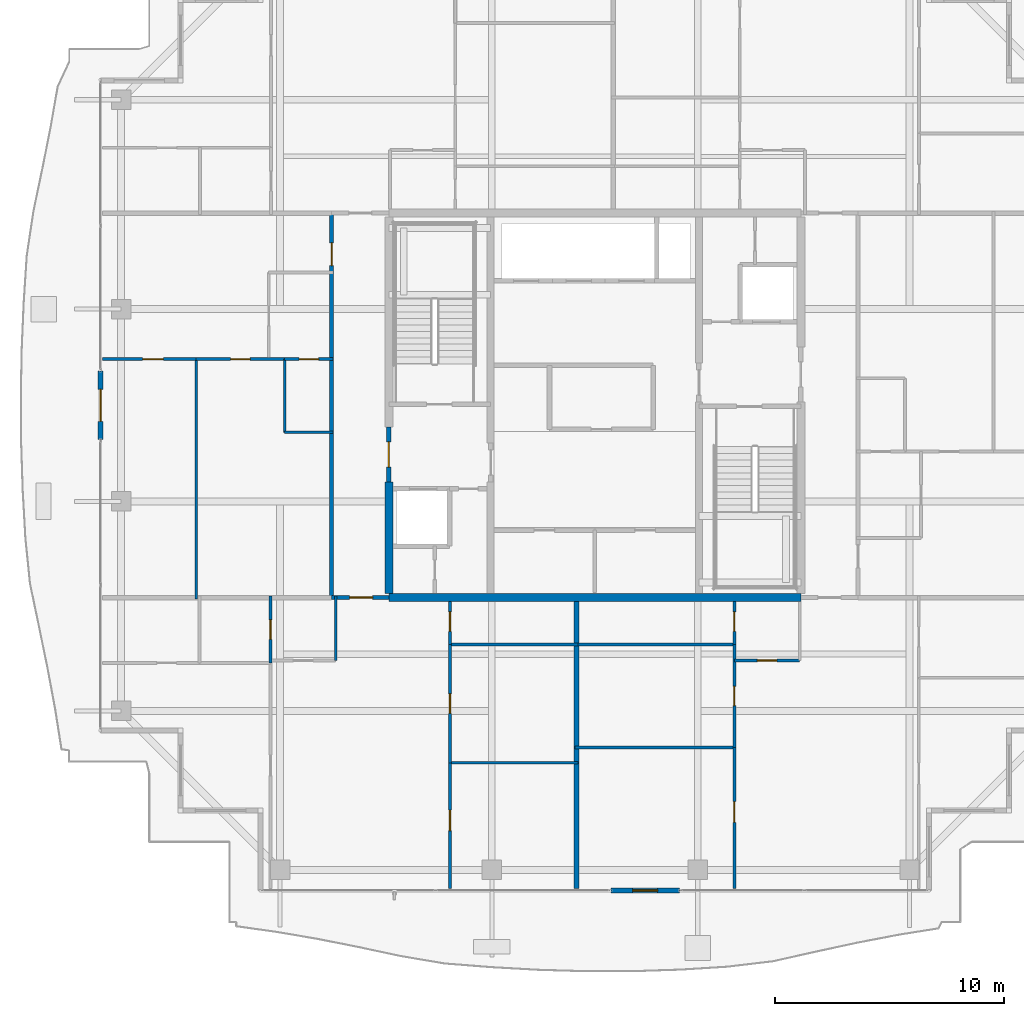
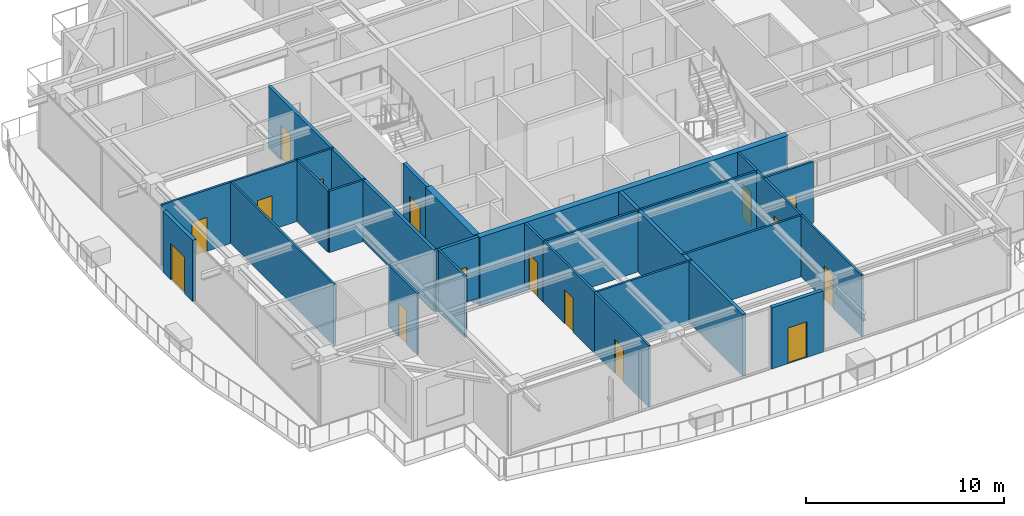
# One storey, part 25 of 36: 27 walls, 16 doors, 16 openings.
"""IFC4 building model written with IfcOpenShell, lengths in metres."""

from ifc_helpers import new_model, si_unit, direction, frame, frame_2d, origin, place, context, subcontext, project, spatial, rectangle, extrude, source, transform, mapped, material, layer, layer_set, type_object, element, fill, save


model = new_model("IFC4")

# Units and contexts
model_context = context("Model", 3, precision=1e-05, world=origin(), true_north=direction((0.0, 1.0)))
body_context = subcontext(model_context, "Body", "Model", "MODEL_VIEW")
ifc_project = project(units=[si_unit("LENGTHUNIT", "METRE"), si_unit("AREAUNIT", "SQUARE_METRE"), si_unit("VOLUMEUNIT", "CUBIC_METRE"), si_unit("PLANEANGLEUNIT", "RADIAN"), si_unit("MASSUNIT", "GRAM", prefix="KILO")], contexts=[model_context])

# Site, building, storey
site_placement = place(None, origin())
site = spatial("IfcSite", under=ifc_project, at=site_placement, CompositionType="ELEMENT")
building_placement = place(site_placement, origin())
building = spatial("IfcBuilding", under=site, at=building_placement, Name="Serunith Strait Residences", CompositionType="ELEMENT")
storey_placement = place(building_placement, frame((0.0, 0.0, 338.0)))
storey = spatial("IfcBuildingStorey", under=building, at=storey_placement, Name="L84", CompositionType="ELEMENT", Elevation=338.0)

# Wall, opening, door
ifc_material_1 = material(Name="Pale-Champagne Aluminium Insulated Panel", Category="aluminium")
ifc_layer_1 = layer(ifc_material_1, 0.219970703125, Name="Pale-Champagne Aluminium Insulated Panel")
ifc_layer_set_1 = layer_set([ifc_layer_1], Name="Pale-Champagne Aluminium Insulated Panel")
wall_type_1 = type_object("IfcWallType", Name="EW-ALUM-220", PredefinedType="ELEMENTEDWALL", material=ifc_layer_set_1)
wall_1_placement = place(storey_placement, frame((33.10009765625, 4.0, 0.0), z_axis=(0.0, 0.0, 1.0), x_axis=(1.0, 0.0, 0.0)))
wall_1 = element("IfcWall", 1, at=wall_1_placement, inside=storey, type_object=wall_type_1, Name="L84 S Facade Pier Wall", PredefinedType="ELEMENTEDWALL", context=body_context, shape_type="SweptSolid", body=[
    extrude(rectangle(XDim=3.0, YDim=0.219970703125, at=frame_2d((1.5, 0.0))), origin(), (0.0, 0.0, 1.0), 3.77490234375),
])
opening_1_placement = place(wall_1_placement, frame((0.949951171875, 0.0, 0.0)))
opening_1 = element("IfcOpeningElement", 2, at=opening_1_placement, cuts=wall_1, Name="Opening ED-03", PredefinedType="OPENING", context=body_context, shape_type="SweptSolid", body=[
    extrude(rectangle(XDim=1.10009765625, YDim=2.199951171875, at=frame_2d((0.550048828125, 1.10009765625))), frame((0.0, 0.1201171875, 0.0), z_axis=(0.0, -1.0, 0.0), x_axis=(1.0, 0.0, 0.0)), (0.0, 0.0, 1.0), 0.239990234375),
])
ifc_material_2 = material(Name="Thermally-Broken Aluminium Glazed Balcony Door", Category="aluminium")
door_type_1 = type_object("IfcDoorType", Name="ED-BALC-1100", OperationType="NOTDEFINED", PredefinedType="DOOR", material=ifc_material_2)
shared_shape_1 = source(origin(), body_context, "Body", "SweptSolid", [
    extrude(rectangle(XDim=1.10009765625, YDim=2.199951171875, at=frame_2d((0.550048828125, 1.10009765625))), frame((0.0, 0.02490234375, 0.0), z_axis=(0.0, -1.0, 0.0), x_axis=(1.0, 0.0, 0.0)), (0.0, 0.0, 1.0), 0.050048828125),
])
door_1_placement = place(opening_1_placement, origin())
door_1 = element("IfcDoor", 3, at=door_1_placement, inside=storey, type_object=door_type_1, Name="L84 S Vertical-Forest Balcony Door", OperationType="SINGLE_SWING_LEFT", OverallHeight=2.199951171875, OverallWidth=1.10009765625, PredefinedType="DOOR", context=body_context, shape_type="MappedRepresentation", body=[
    mapped(shared_shape_1, transform((0.0, 0.0, 0.0), scale=1.0)),
])
fill(opening_1, door_1)

wall_2_placement = place(storey_placement, frame((10.800048828125, 26.699951171875, 0.0), z_axis=(0.0, 0.0, 1.0), x_axis=(0.0, -1.0, 0.0)))
wall_2 = element("IfcWall", 4, at=wall_2_placement, inside=storey, type_object=wall_type_1, Name="L84 W Facade Pier Wall", PredefinedType="ELEMENTEDWALL", context=body_context, shape_type="SweptSolid", body=[
    extrude(rectangle(XDim=3.0, YDim=0.219970703125, at=frame_2d((1.5, 0.0))), origin(), (0.0, 0.0, 1.0), 3.77490234375),
])
opening_2_placement = place(wall_2_placement, frame((0.800048828125, 0.0, 0.0)))
opening_2 = element("IfcOpeningElement", 5, at=opening_2_placement, cuts=wall_2, Name="Opening ED-04", PredefinedType="OPENING", context=body_context, shape_type="SweptSolid", body=[
    extrude(rectangle(XDim=1.39990234375, YDim=2.25, at=frame_2d((0.699951171875, 1.125))), frame((0.0, 0.1201171875, 0.0), z_axis=(0.0, -1.0, 0.0), x_axis=(1.0, 0.0, 0.0)), (0.0, 0.0, 1.0), 0.239990234375),
])
ifc_material_3 = material(Name="Thermally-Broken Aluminium Sliding Balcony Door", Category="aluminium")
door_type_2 = type_object("IfcDoorType", Name="ED-BALC-1400", OperationType="NOTDEFINED", PredefinedType="DOOR", material=ifc_material_3)
shared_shape_2 = source(origin(), body_context, "Body", "SweptSolid", [
    extrude(rectangle(XDim=1.39990234375, YDim=2.25, at=frame_2d((0.699951171875, 1.125))), frame((0.0, 0.02490234375, 0.0), z_axis=(0.0, -1.0, 0.0), x_axis=(1.0, 0.0, 0.0)), (0.0, 0.0, 1.0), 0.050048828125),
])
door_2_placement = place(opening_2_placement, origin())
door_2 = element("IfcDoor", 6, at=door_2_placement, inside=storey, type_object=door_type_2, Name="L84 W Vertical-Forest Balcony Door", OperationType="SLIDING_TO_LEFT", OverallHeight=2.25, OverallWidth=1.39990234375, PredefinedType="DOOR", context=body_context, shape_type="MappedRepresentation", body=[
    mapped(shared_shape_2, transform((0.0, 0.0, 0.0), scale=1.0)),
])
fill(opening_2, door_2)

ifc_material_4 = material(Name="Fire-rated acoustic gypsum partition")
ifc_layer_2 = layer(ifc_material_4, 0.179931640625, Name="Fire-rated acoustic gypsum partition")
ifc_layer_set_2 = layer_set([ifc_layer_2], Name="Fire-rated acoustic gypsum partition")
wall_type_2 = type_object("IfcWallType", Name="IW-CORR-180", PredefinedType="PARTITIONING", material=ifc_layer_set_2)
wall_3_placement = place(storey_placement, frame((20.902099609375, 16.800048828125, 0.0), z_axis=(0.0, 0.0, 1.0), x_axis=(1.0, 0.0, 0.0)))
wall_3 = element("IfcWall", 7, at=wall_3_placement, inside=storey, type_object=wall_type_2, Name="L84 Partition Wall 026", PredefinedType="PARTITIONING", context=body_context, shape_type="SweptSolid", body=[
    extrude(rectangle(XDim=2.495849609375, YDim=0.179931640625, at=frame_2d((1.248046875, 0.0))), origin(), (0.0, 0.0, 1.0), 3.7900390625),
])
opening_3_placement = place(wall_3_placement, frame((0.7900390625, 0.0, 0.0)))
opening_3 = element("IfcOpeningElement", 8, at=opening_3_placement, cuts=wall_3, Name="Opening D-APT1000", PredefinedType="OPENING", context=body_context, shape_type="SweptSolid", body=[
    extrude(rectangle(XDim=1.0, YDim=2.14990234375, at=frame_2d((0.5, 1.074951171875))), frame((0.0, 0.10009765625, 0.0), z_axis=(0.0, -1.0, 0.0), x_axis=(1.0, 0.0, 0.0)), (0.0, 0.0, 1.0), 0.199951171875),
])
ifc_material_5 = material(Name="Solid timber engineered fire door", Category="wood")
door_type_3 = type_object("IfcDoorType", Name="ID-APT-1000", OperationType="NOTDEFINED", PredefinedType="DOOR", material=ifc_material_5)
shared_shape_3 = source(origin(), body_context, "Body", "SweptSolid", [
    extrude(rectangle(XDim=1.0, YDim=2.14990234375, at=frame_2d((0.5, 1.074951171875))), frame((0.0, 0.02490234375, 0.0), z_axis=(0.0, -1.0, 0.0), x_axis=(1.0, 0.0, 0.0)), (0.0, 0.0, 1.0), 0.050048828125),
])
door_3_placement = place(opening_3_placement, origin())
door_3 = element("IfcDoor", 9, at=door_3_placement, inside=storey, type_object=door_type_3, Name="L84 Unit 01 Entrance Door", OperationType="SINGLE_SWING_LEFT", OverallHeight=2.14990234375, OverallWidth=1.0, PredefinedType="DOOR", context=body_context, shape_type="MappedRepresentation", body=[
    mapped(shared_shape_3, transform((0.0, 0.0, 0.0), scale=1.0)),
])
fill(opening_3, door_3)

wall_4_placement = place(storey_placement, frame((20.89990234375, 16.800048828125, 0.0), z_axis=(0.0, 0.0, 1.0), x_axis=(0.0, 1.0, 0.0)))
wall_4 = element("IfcWall", 10, at=wall_4_placement, inside=storey, type_object=wall_type_2, Name="L84 Partition Wall 028", PredefinedType="PARTITIONING", context=body_context, shape_type="SweptSolid", body=[
    extrude(rectangle(XDim=16.800048828125, YDim=0.179931640625, at=frame_2d((8.39990234375, 0.0))), origin(), (0.0, 0.0, 1.0), 3.7900390625),
])
opening_4_placement = place(wall_4_placement, frame((14.5, 0.0, 0.0)))
opening_4 = element("IfcOpeningElement", 11, at=opening_4_placement, cuts=wall_4, Name="Opening D-APT1000", PredefinedType="OPENING", context=body_context, shape_type="SweptSolid", body=[
    extrude(rectangle(XDim=1.0, YDim=2.14990234375, at=frame_2d((0.5, 1.074951171875))), frame((0.0, 0.10009765625, 0.0), z_axis=(0.0, -1.0, 0.0), x_axis=(1.0, 0.0, 0.0)), (0.0, 0.0, 1.0), 0.199951171875),
])
door_4_placement = place(opening_4_placement, origin())
door_4 = element("IfcDoor", 12, at=door_4_placement, inside=storey, type_object=door_type_3, Name="L84 Unit 05 Entrance Door", OperationType="SINGLE_SWING_LEFT", OverallHeight=2.14990234375, OverallWidth=1.0, PredefinedType="DOOR", context=body_context, shape_type="MappedRepresentation", body=[
    mapped(shared_shape_3, transform((0.0, 0.0, 0.0), scale=1.0)),
])
fill(opening_4, door_4)

# Wall
ifc_material_6 = material(Name="Lightweight steel-stud gypsum partition", Category="steel")
ifc_layer_3 = layer(ifc_material_6, 0.1201171875, Name="Lightweight steel-stud gypsum partition")
ifc_layer_set_3 = layer_set([ifc_layer_3], Name="Lightweight steel-stud gypsum partition")
wall_type_3 = type_object("IfcWallType", Name="IW-PART-120", PredefinedType="PARTITIONING", material=ifc_layer_set_3)
wall_5_placement = place(storey_placement, frame((21.080078125, 14.050048828125, 0.0), z_axis=(0.0, 0.0, 1.0), x_axis=(0.0, 1.0, 0.0)))
element("IfcWall", 13, at=wall_5_placement, inside=storey, type_object=wall_type_3, Name="L84 Partition Wall 033", PredefinedType="PARTITIONING", context=body_context, shape_type="SweptSolid", body=[
    extrude(rectangle(XDim=2.81005859375, YDim=0.1201171875, at=frame_2d((1.405029296875, 0.0))), origin(), (0.0, 0.0, 1.0), 3.7900390625),
])

# Wall, opening, door
wall_6_placement = place(storey_placement, frame((18.22998046875, 13.946044921875, 0.0), z_axis=(0.0, 0.0, 1.0), x_axis=(0.0, 1.0, 0.0)))
wall_6 = element("IfcWall", 14, at=wall_6_placement, inside=storey, type_object=wall_type_3, Name="L84 Partition Wall 038", PredefinedType="PARTITIONING", context=body_context, shape_type="SweptSolid", body=[
    extrude(rectangle(XDim=2.9140625, YDim=0.1201171875, at=frame_2d((1.45703125, 0.0))), origin(), (0.0, 0.0, 1.0), 3.7900390625),
])
opening_5_placement = place(wall_6_placement, frame((1.031982421875, 0.0, 0.0)))
opening_5 = element("IfcOpeningElement", 15, at=opening_5_placement, cuts=wall_6, Name="Opening D-BTH850", PredefinedType="OPENING", context=body_context, shape_type="SweptSolid", body=[
    extrude(rectangle(XDim=0.85009765625, YDim=2.10009765625, at=frame_2d((0.425048828125, 1.050048828125))), frame((0.0, 0.070068359375, 0.0), z_axis=(0.0, -1.0, 0.0), x_axis=(1.0, 0.0, 0.0)), (0.0, 0.0, 1.0), 0.14013671875),
])
ifc_material_7 = material(Name="Moisture-resistant timber bathroom door", Category="wood")
door_type_4 = type_object("IfcDoorType", Name="ID-BATH-850", OperationType="NOTDEFINED", PredefinedType="DOOR", material=ifc_material_7)
shared_shape_4 = source(origin(), body_context, "Body", "SweptSolid", [
    extrude(rectangle(XDim=0.85009765625, YDim=2.10009765625, at=frame_2d((0.425048828125, 1.050048828125))), frame((0.0, 0.02490234375, 0.0), z_axis=(0.0, -1.0, 0.0), x_axis=(1.0, 0.0, 0.0)), (0.0, 0.0, 1.0), 0.050048828125),
])
door_5_placement = place(opening_5_placement, origin())
door_5 = element("IfcDoor", 16, at=door_5_placement, inside=storey, type_object=door_type_4, Name="L84 Bathroom 8401 Door", OperationType="SINGLE_SWING_RIGHT", OverallHeight=2.10009765625, OverallWidth=0.85009765625, PredefinedType="DOOR", context=body_context, shape_type="MappedRepresentation", body=[
    mapped(shared_shape_4, transform((0.0, 0.0, 0.0), scale=1.0)),
])
fill(opening_5, door_5)

wall_7_placement = place(storey_placement, frame((26.070068359375, 4.094970703125, 0.0), z_axis=(0.0, 0.0, 1.0), x_axis=(0.0, 1.0, 0.0)))
wall_7 = element("IfcWall", 17, at=wall_7_placement, inside=storey, type_object=wall_type_3, Name="L84 Partition Wall 039", PredefinedType="PARTITIONING", context=body_context, shape_type="SweptSolid", body=[
    extrude(rectangle(XDim=5.48193359375, YDim=0.1201171875, at=frame_2d((2.740966796875, 0.0))), origin(), (0.0, 0.0, 1.0), 3.7900390625),
])
opening_6_placement = place(wall_7_placement, frame((2.52001953125, 0.0, 0.0)))
opening_6 = element("IfcOpeningElement", 18, at=opening_6_placement, cuts=wall_7, Name="Opening D-RM900", PredefinedType="OPENING", context=body_context, shape_type="SweptSolid", body=[
    extrude(rectangle(XDim=0.89990234375, YDim=2.10009765625, at=frame_2d((0.449951171875, 1.050048828125))), frame((0.0, 0.070068359375, 0.0), z_axis=(0.0, -1.0, 0.0), x_axis=(1.0, 0.0, 0.0)), (0.0, 0.0, 1.0), 0.14013671875),
])
ifc_material_8 = material(Name="Engineered timber flush bedroom door", Category="wood")
door_type_5 = type_object("IfcDoorType", Name="ID-ROOM-900", OperationType="NOTDEFINED", PredefinedType="DOOR", material=ifc_material_8)
shared_shape_5 = source(origin(), body_context, "Body", "SweptSolid", [
    extrude(rectangle(XDim=0.89990234375, YDim=2.10009765625, at=frame_2d((0.449951171875, 1.050048828125))), frame((0.0, 0.02490234375, 0.0), z_axis=(0.0, -1.0, 0.0), x_axis=(1.0, 0.0, 0.0)), (0.0, 0.0, 1.0), 0.050048828125),
])
door_6_placement = place(opening_6_placement, origin())
door_6 = element("IfcDoor", 19, at=door_6_placement, inside=storey, type_object=door_type_5, Name="L84 Bedroom 2 8401 Door", OperationType="SINGLE_SWING_LEFT", OverallHeight=2.10009765625, OverallWidth=0.89990234375, PredefinedType="DOOR", context=body_context, shape_type="MappedRepresentation", body=[
    mapped(shared_shape_5, transform((0.0, 0.0, 0.0), scale=1.0)),
])
fill(opening_6, door_6)

# Walls
for number, where, z_axis, x_axis, name in (
    (20, (26.070068359375, 9.576904296875, 0.0), (0.0, 0.0, 1.0), (1.0, 0.0, 0.0), "L84 Partition Wall 040"),
    (21, (26.070068359375, 14.75, 0.0), (0.0, 0.0, 1.0), (1.0, 0.0, 0.0), "L84 Partition Wall 041"),
):
    element("IfcWall", number, at=place(storey_placement, frame(where, z_axis=z_axis, x_axis=x_axis)), inside=storey, type_object=wall_type_3, Name=name, PredefinedType="PARTITIONING", context=body_context, shape_type="SweptSolid", body=[
        extrude(rectangle(XDim=5.58984375, YDim=0.1201171875, at=frame_2d((2.794921875, 0.0))), origin(), (0.0, 0.0, 1.0), 3.7900390625),
    ])

# Wall, opening, door
wall_8_placement = place(storey_placement, frame((26.070068359375, 9.5791015625, 0.0), z_axis=(0.0, 0.0, 1.0), x_axis=(0.0, 1.0, 0.0)))
wall_8 = element("IfcWall", 22, at=wall_8_placement, inside=storey, type_object=wall_type_3, Name="L84 Partition Wall 042", PredefinedType="PARTITIONING", context=body_context, shape_type="SweptSolid", body=[
    extrude(rectangle(XDim=5.1708984375, YDim=0.1201171875, at=frame_2d((2.58544921875, 0.0))), origin(), (0.0, 0.0, 1.0), 3.7900390625),
])
opening_7_placement = place(wall_8_placement, frame((2.159912109375, 0.0, 0.0)))
opening_7 = element("IfcOpeningElement", 23, at=opening_7_placement, cuts=wall_8, Name="Opening D-RM850", PredefinedType="OPENING", context=body_context, shape_type="SweptSolid", body=[
    extrude(rectangle(XDim=0.85009765625, YDim=2.10009765625, at=frame_2d((0.425048828125, 1.050048828125))), frame((0.0, 0.070068359375, 0.0), z_axis=(0.0, -1.0, 0.0), x_axis=(1.0, 0.0, 0.0)), (0.0, 0.0, 1.0), 0.14013671875),
])
ifc_material_9 = material(Name="Engineered timber flush study and kitchen door", Category="wood")
door_type_6 = type_object("IfcDoorType", Name="ID-ROOM-850", OperationType="NOTDEFINED", PredefinedType="DOOR", material=ifc_material_9)
door_7_placement = place(opening_7_placement, origin())
door_7 = element("IfcDoor", 24, at=door_7_placement, inside=storey, type_object=door_type_6, Name="L84 Walk-in Wardrobe 8401 Door", OperationType="SINGLE_SWING_RIGHT", OverallHeight=2.10009765625, OverallWidth=0.85009765625, PredefinedType="DOOR", context=body_context, shape_type="MappedRepresentation", body=[
    mapped(shared_shape_4, transform((0.0, 0.0, 0.0), scale=1.0)),
])
fill(opening_7, door_7)

wall_9_placement = place(storey_placement, frame((26.070068359375, 14.751953125, 0.0), z_axis=(0.0, 0.0, 1.0), x_axis=(0.0, 1.0, 0.0)))
wall_9 = element("IfcWall", 25, at=wall_9_placement, inside=storey, type_object=wall_type_3, Name="L84 Partition Wall 043", PredefinedType="PARTITIONING", context=body_context, shape_type="SweptSolid", body=[
    extrude(rectangle(XDim=1.873046875, YDim=0.1201171875, at=frame_2d((0.9365234375, 0.0))), origin(), (0.0, 0.0, 1.0), 3.7900390625),
])
opening_8_placement = place(wall_9_placement, frame((0.574951171875, 0.0, 0.0)))
opening_8 = element("IfcOpeningElement", 26, at=opening_8_placement, cuts=wall_9, Name="Opening D-BTH850", PredefinedType="OPENING", context=body_context, shape_type="SweptSolid", body=[
    extrude(rectangle(XDim=0.85009765625, YDim=2.10009765625, at=frame_2d((0.425048828125, 1.050048828125))), frame((0.0, 0.070068359375, 0.0), z_axis=(0.0, -1.0, 0.0), x_axis=(1.0, 0.0, 0.0)), (0.0, 0.0, 1.0), 0.14013671875),
])
door_8_placement = place(opening_8_placement, origin())
door_8 = element("IfcDoor", 27, at=door_8_placement, inside=storey, type_object=door_type_4, Name="L84 Bathroom 8401 Door", OperationType="SINGLE_SWING_LEFT", OverallHeight=2.10009765625, OverallWidth=0.85009765625, PredefinedType="DOOR", context=body_context, shape_type="MappedRepresentation", body=[
    mapped(shared_shape_4, transform((0.0, 0.0, 0.0), scale=1.0)),
])
fill(opening_8, door_8)

wall_10_placement = place(storey_placement, frame((38.5, 14.050048828125, 0.0), z_axis=(0.0, 0.0, 1.0), x_axis=(1.0, 0.0, 0.0)))
wall_10 = element("IfcWall", 28, at=wall_10_placement, inside=storey, type_object=wall_type_3, Name="L84 Partition Wall 044", PredefinedType="PARTITIONING", context=body_context, shape_type="SweptSolid", body=[
    extrude(rectangle(XDim=2.85009765625, YDim=0.1201171875, at=frame_2d((1.425048828125, 0.0))), origin(), (0.0, 0.0, 1.0), 3.7900390625),
])
opening_9_placement = place(wall_10_placement, frame((1.0, 0.0, 0.0)))
opening_9 = element("IfcOpeningElement", 29, at=opening_9_placement, cuts=wall_10, Name="Opening D-RM850", PredefinedType="OPENING", context=body_context, shape_type="SweptSolid", body=[
    extrude(rectangle(XDim=0.85009765625, YDim=2.10009765625, at=frame_2d((0.425048828125, 1.050048828125))), frame((0.0, 0.070068359375, 0.0), z_axis=(0.0, -1.0, 0.0), x_axis=(1.0, 0.0, 0.0)), (0.0, 0.0, 1.0), 0.14013671875),
])
door_9_placement = place(opening_9_placement, origin())
door_9 = element("IfcDoor", 30, at=door_9_placement, inside=storey, type_object=door_type_6, Name="L84 Kitchen 8402 Door", OperationType="SINGLE_SWING_RIGHT", OverallHeight=2.10009765625, OverallWidth=0.85009765625, PredefinedType="DOOR", context=body_context, shape_type="MappedRepresentation", body=[
    mapped(shared_shape_4, transform((0.0, 0.0, 0.0), scale=1.0)),
])
fill(opening_9, door_9)

wall_11_placement = place(storey_placement, frame((38.5, 4.094970703125, 0.0), z_axis=(0.0, 0.0, 1.0), x_axis=(0.0, 1.0, 0.0)))
wall_11 = element("IfcWall", 31, at=wall_11_placement, inside=storey, type_object=wall_type_3, Name="L84 Partition Wall 046", PredefinedType="PARTITIONING", context=body_context, shape_type="SweptSolid", body=[
    extrude(rectangle(XDim=6.14892578125, YDim=0.1201171875, at=frame_2d((3.074462890625, 0.0))), origin(), (0.0, 0.0, 1.0), 3.7900390625),
])
opening_10_placement = place(wall_11_placement, frame((2.886962890625, 0.0, 0.0)))
opening_10 = element("IfcOpeningElement", 32, at=opening_10_placement, cuts=wall_11, Name="Opening D-RM900", PredefinedType="OPENING", context=body_context, shape_type="SweptSolid", body=[
    extrude(rectangle(XDim=0.89990234375, YDim=2.10009765625, at=frame_2d((0.449951171875, 1.050048828125))), frame((0.0, 0.070068359375, 0.0), z_axis=(0.0, -1.0, 0.0), x_axis=(1.0, 0.0, 0.0)), (0.0, 0.0, 1.0), 0.14013671875),
])
door_10_placement = place(opening_10_placement, origin())
door_10 = element("IfcDoor", 33, at=door_10_placement, inside=storey, type_object=door_type_5, Name="L84 Master Bedroom 1 8402 Door", OperationType="SINGLE_SWING_LEFT", OverallHeight=2.10009765625, OverallWidth=0.89990234375, PredefinedType="DOOR", context=body_context, shape_type="MappedRepresentation", body=[
    mapped(shared_shape_5, transform((0.0, 0.0, 0.0), scale=1.0)),
])
fill(opening_10, door_10)

# Walls
wall_12_placement = place(storey_placement, frame((31.5400390625, 10.243896484375, 0.0), z_axis=(0.0, 0.0, 1.0), x_axis=(1.0, 0.0, 0.0)))
element("IfcWall", 34, at=wall_12_placement, inside=storey, type_object=wall_type_3, Name="L84 Partition Wall 047", PredefinedType="PARTITIONING", context=body_context, shape_type="SweptSolid", body=[
    extrude(rectangle(XDim=6.9599609375, YDim=0.1201171875, at=frame_2d((3.47998046875, 0.0))), origin(), (0.0, 0.0, 1.0), 3.7900390625),
])
wall_13_placement = place(storey_placement, frame((31.662109375, 14.75, 0.0), z_axis=(0.0, 0.0, 1.0), x_axis=(1.0, 0.0, 0.0)))
element("IfcWall", 35, at=wall_13_placement, inside=storey, type_object=wall_type_3, Name="L84 Partition Wall 048", PredefinedType="PARTITIONING", context=body_context, shape_type="SweptSolid", body=[
    extrude(rectangle(XDim=6.837890625, YDim=0.1201171875, at=frame_2d((3.4189453125, 0.0))), origin(), (0.0, 0.0, 1.0), 3.7900390625),
])

# Wall, opening, door
wall_14_placement = place(storey_placement, frame((38.5, 10.24609375, 0.0), z_axis=(0.0, 0.0, 1.0), x_axis=(0.0, 1.0, 0.0)))
wall_14 = element("IfcWall", 36, at=wall_14_placement, inside=storey, type_object=wall_type_3, Name="L84 Partition Wall 049", PredefinedType="PARTITIONING", context=body_context, shape_type="SweptSolid", body=[
    extrude(rectangle(XDim=4.50390625, YDim=0.1201171875, at=frame_2d((2.251953125, 0.0))), origin(), (0.0, 0.0, 1.0), 3.7900390625),
])
opening_11_placement = place(wall_14_placement, frame((1.826904296875, 0.0, 0.0)))
opening_11 = element("IfcOpeningElement", 37, at=opening_11_placement, cuts=wall_14, Name="Opening D-RM850", PredefinedType="OPENING", context=body_context, shape_type="SweptSolid", body=[
    extrude(rectangle(XDim=0.85009765625, YDim=2.10009765625, at=frame_2d((0.425048828125, 1.050048828125))), frame((0.0, 0.070068359375, 0.0), z_axis=(0.0, -1.0, 0.0), x_axis=(1.0, 0.0, 0.0)), (0.0, 0.0, 1.0), 0.14013671875),
])
door_11_placement = place(opening_11_placement, origin())
door_11 = element("IfcDoor", 38, at=door_11_placement, inside=storey, type_object=door_type_6, Name="L84 Walk-in Wardrobe 8402 Door", OperationType="SINGLE_SWING_RIGHT", OverallHeight=2.10009765625, OverallWidth=0.85009765625, PredefinedType="DOOR", context=body_context, shape_type="MappedRepresentation", body=[
    mapped(shared_shape_4, transform((0.0, 0.0, 0.0), scale=1.0)),
])
fill(opening_11, door_11)

wall_15_placement = place(storey_placement, frame((38.5, 14.751953125, 0.0), z_axis=(0.0, 0.0, 1.0), x_axis=(0.0, 1.0, 0.0)))
wall_15 = element("IfcWall", 39, at=wall_15_placement, inside=storey, type_object=wall_type_3, Name="L84 Partition Wall 050", PredefinedType="PARTITIONING", context=body_context, shape_type="SweptSolid", body=[
    extrude(rectangle(XDim=1.873046875, YDim=0.1201171875, at=frame_2d((0.9365234375, 0.0))), origin(), (0.0, 0.0, 1.0), 3.7900390625),
])
opening_12_placement = place(wall_15_placement, frame((0.574951171875, 0.0, 0.0)))
opening_12 = element("IfcOpeningElement", 40, at=opening_12_placement, cuts=wall_15, Name="Opening D-BTH850", PredefinedType="OPENING", context=body_context, shape_type="SweptSolid", body=[
    extrude(rectangle(XDim=0.85009765625, YDim=2.10009765625, at=frame_2d((0.425048828125, 1.050048828125))), frame((0.0, 0.070068359375, 0.0), z_axis=(0.0, -1.0, 0.0), x_axis=(1.0, 0.0, 0.0)), (0.0, 0.0, 1.0), 0.14013671875),
])
door_12_placement = place(opening_12_placement, origin())
door_12 = element("IfcDoor", 41, at=door_12_placement, inside=storey, type_object=door_type_4, Name="L84 Bathroom 8402 Door", OperationType="SINGLE_SWING_LEFT", OverallHeight=2.10009765625, OverallWidth=0.85009765625, PredefinedType="DOOR", context=body_context, shape_type="MappedRepresentation", body=[
    mapped(shared_shape_4, transform((0.0, 0.0, 0.0), scale=1.0)),
])
fill(opening_12, door_12)

wall_16_placement = place(storey_placement, frame((10.89501953125, 27.219970703125, 0.0), z_axis=(0.0, 0.0, 1.0), x_axis=(1.0, 0.0, 0.0)))
wall_16 = element("IfcWall", 42, at=wall_16_placement, inside=storey, type_object=wall_type_3, Name="L84 Partition Wall 078", PredefinedType="PARTITIONING", context=body_context, shape_type="SweptSolid", body=[
    extrude(rectangle(XDim=4.087890625, YDim=0.1201171875, at=frame_2d((2.0439453125, 0.0))), origin(), (0.0, 0.0, 1.0), 3.7900390625),
])
opening_13_placement = place(wall_16_placement, frame((1.7529296875, 0.0, 0.0)))
opening_13 = element("IfcOpeningElement", 43, at=opening_13_placement, cuts=wall_16, Name="Opening D-RM900", PredefinedType="OPENING", context=body_context, shape_type="SweptSolid", body=[
    extrude(rectangle(XDim=0.89990234375, YDim=2.10009765625, at=frame_2d((0.449951171875, 1.050048828125))), frame((0.0, 0.070068359375, 0.0), z_axis=(0.0, -1.0, 0.0), x_axis=(1.0, 0.0, 0.0)), (0.0, 0.0, 1.0), 0.14013671875),
])
door_13_placement = place(opening_13_placement, origin())
door_13 = element("IfcDoor", 44, at=door_13_placement, inside=storey, type_object=door_type_5, Name="L84 Master Bedroom 1 8405 Door", OperationType="SINGLE_SWING_RIGHT", OverallHeight=2.10009765625, OverallWidth=0.89990234375, PredefinedType="DOOR", context=body_context, shape_type="MappedRepresentation", body=[
    mapped(shared_shape_5, transform((0.0, 0.0, 0.0), scale=1.0)),
])
fill(opening_13, door_13)

# Walls
wall_17_placement = place(storey_placement, frame((14.98291015625, 16.739990234375, 0.0), z_axis=(0.0, 0.0, 1.0), x_axis=(0.0, 1.0, 0.0)))
element("IfcWall", 45, at=wall_17_placement, inside=storey, type_object=wall_type_3, Name="L84 Partition Wall 079", PredefinedType="PARTITIONING", context=body_context, shape_type="SweptSolid", body=[
    extrude(rectangle(XDim=10.47998046875, YDim=0.1201171875, at=frame_2d((5.239990234375, 0.0))), origin(), (0.0, 0.0, 1.0), 3.7900390625),
])
wall_18_placement = place(storey_placement, frame((18.85009765625, 24.02001953125, 0.0), z_axis=(0.0, 0.0, 1.0), x_axis=(0.0, 1.0, 0.0)))
element("IfcWall", 46, at=wall_18_placement, inside=storey, type_object=wall_type_3, Name="L84 Partition Wall 080", PredefinedType="PARTITIONING", context=body_context, shape_type="SweptSolid", body=[
    extrude(rectangle(XDim=3.199951171875, YDim=0.1201171875, at=frame_2d((1.60009765625, 0.0))), origin(), (0.0, 0.0, 1.0), 3.7900390625),
])
wall_19_placement = place(storey_placement, frame((18.85009765625, 24.02001953125, 0.0), z_axis=(0.0, 0.0, 1.0), x_axis=(1.0, 0.0, 0.0)))
element("IfcWall", 47, at=wall_19_placement, inside=storey, type_object=wall_type_3, Name="L84 Partition Wall 081", PredefinedType="PARTITIONING", context=body_context, shape_type="SweptSolid", body=[
    extrude(rectangle(XDim=2.10986328125, YDim=0.1201171875, at=frame_2d((1.054931640625, 0.0))), origin(), (0.0, 0.0, 1.0), 3.7900390625),
])

# Wall, opening, door
wall_20_placement = place(storey_placement, frame((14.985107421875, 27.219970703125, 0.0), z_axis=(0.0, 0.0, 1.0), x_axis=(1.0, 0.0, 0.0)))
wall_20 = element("IfcWall", 48, at=wall_20_placement, inside=storey, type_object=wall_type_3, Name="L84 Partition Wall 082", PredefinedType="PARTITIONING", context=body_context, shape_type="SweptSolid", body=[
    extrude(rectangle(XDim=3.864990234375, YDim=0.1201171875, at=frame_2d((1.9326171875, 0.0))), origin(), (0.0, 0.0, 1.0), 3.7900390625),
])
opening_14_placement = place(wall_20_placement, frame((1.508056640625, 0.0, 0.0)))
opening_14 = element("IfcOpeningElement", 49, at=opening_14_placement, cuts=wall_20, Name="Opening D-RM850", PredefinedType="OPENING", context=body_context, shape_type="SweptSolid", body=[
    extrude(rectangle(XDim=0.85009765625, YDim=2.10009765625, at=frame_2d((0.425048828125, 1.050048828125))), frame((0.0, 0.070068359375, 0.0), z_axis=(0.0, -1.0, 0.0), x_axis=(1.0, 0.0, 0.0)), (0.0, 0.0, 1.0), 0.14013671875),
])
door_14_placement = place(opening_14_placement, origin())
door_14 = element("IfcDoor", 50, at=door_14_placement, inside=storey, type_object=door_type_6, Name="L84 Walk-in Wardrobe 8405 Door", OperationType="SINGLE_SWING_LEFT", OverallHeight=2.10009765625, OverallWidth=0.85009765625, PredefinedType="DOOR", context=body_context, shape_type="MappedRepresentation", body=[
    mapped(shared_shape_4, transform((0.0, 0.0, 0.0), scale=1.0)),
])
fill(opening_14, door_14)

wall_21_placement = place(storey_placement, frame((18.85205078125, 27.219970703125, 0.0), z_axis=(0.0, 0.0, 1.0), x_axis=(1.0, 0.0, 0.0)))
wall_21 = element("IfcWall", 51, at=wall_21_placement, inside=storey, type_object=wall_type_3, Name="L84 Partition Wall 083", PredefinedType="PARTITIONING", context=body_context, shape_type="SweptSolid", body=[
    extrude(rectangle(XDim=2.10791015625, YDim=0.1201171875, at=frame_2d((1.053955078125, 0.0))), origin(), (0.0, 0.0, 1.0), 3.7900390625),
])
opening_15_placement = place(wall_21_placement, frame((0.62890625, 0.0, 0.0)))
opening_15 = element("IfcOpeningElement", 52, at=opening_15_placement, cuts=wall_21, Name="Opening D-BTH850", PredefinedType="OPENING", context=body_context, shape_type="SweptSolid", body=[
    extrude(rectangle(XDim=0.85009765625, YDim=2.10009765625, at=frame_2d((0.425048828125, 1.050048828125))), frame((0.0, 0.070068359375, 0.0), z_axis=(0.0, -1.0, 0.0), x_axis=(1.0, 0.0, 0.0)), (0.0, 0.0, 1.0), 0.14013671875),
])
door_15_placement = place(opening_15_placement, origin())
door_15 = element("IfcDoor", 53, at=door_15_placement, inside=storey, type_object=door_type_4, Name="L84 Bathroom 8405 Door", OperationType="SINGLE_SWING_RIGHT", OverallHeight=2.10009765625, OverallWidth=0.85009765625, PredefinedType="DOOR", context=body_context, shape_type="MappedRepresentation", body=[
    mapped(shared_shape_4, transform((0.0, 0.0, 0.0), scale=1.0)),
])
fill(opening_15, door_15)

# Wall
ifc_material_10 = material(Name="Twin-stud acoustic gypsum board partition")
ifc_layer_4 = layer(ifc_material_10, 0.199951171875, Name="Twin-stud acoustic gypsum board partition")
ifc_layer_set_4 = layer_set([ifc_layer_4], Name="Twin-stud acoustic gypsum board partition")
wall_type_4 = type_object("IfcWallType", Name="IW-PARTY-200", PredefinedType="PARTITIONING", material=ifc_layer_set_4)
wall_22_placement = place(storey_placement, frame((31.60009765625, 4.08203125, 0.0), z_axis=(0.0, 0.0, 1.0), x_axis=(0.0, 1.0, 0.0)))
element("IfcWall", 54, at=wall_22_placement, inside=storey, type_object=wall_type_4, Name="L84 Partition Wall 020", PredefinedType="PARTITIONING", context=body_context, shape_type="SweptSolid", body=[
    extrude(rectangle(XDim=12.54296875, YDim=0.199951171875, at=frame_2d((6.271484375, 0.0))), origin(), (0.0, 0.0, 1.0), 3.7900390625),
])

# Wall, opening, door
ifc_material_11 = material(Name="Autoclaved aerated concrete blockwork", Category="masonry")
ifc_layer_5 = layer(ifc_material_11, 0.199951171875, Name="Autoclaved aerated concrete blockwork")
ifc_layer_set_5 = layer_set([ifc_layer_5], Name="Autoclaved aerated concrete blockwork")
wall_type_5 = type_object("IfcWallType", Name="IW-SHAFT-200", PredefinedType="STANDARD", material=ifc_layer_set_5)
wall_23_placement = place(storey_placement, frame((23.39990234375, 21.85205078125, 0.0), z_axis=(0.0, 0.0, 1.0), x_axis=(0.0, 1.0, 0.0)))
wall_23 = element("IfcWall", 55, at=wall_23_placement, inside=storey, type_object=wall_type_5, Name="L84 Partition Wall 007", PredefinedType="STANDARD", context=body_context, shape_type="SweptSolid", body=[
    extrude(rectangle(XDim=2.39599609375, YDim=0.199951171875, at=frame_2d((1.197998046875, 0.0))), origin(), (0.0, 0.0, 1.0), 3.7900390625),
])
opening_16_placement = place(wall_23_placement, frame((0.64794921875, 0.0, 0.0)))
opening_16 = element("IfcOpeningElement", 56, at=opening_16_placement, cuts=wall_23, Name="Opening FD-FFL", PredefinedType="OPENING", context=body_context, shape_type="SweptSolid", body=[
    extrude(rectangle(XDim=1.10009765625, YDim=2.14990234375, at=frame_2d((0.550048828125, 1.074951171875))), frame((0.0, 0.10986328125, 0.0), z_axis=(0.0, -1.0, 0.0), x_axis=(1.0, 0.0, 0.0)), (0.0, 0.0, 1.0), 0.219970703125),
])
ifc_material_12 = material(Name="Glazed steel smoke-lobby fire door", Category="steel")
door_type_7 = type_object("IfcDoorType", Name="FD-FFL-1100", OperationType="NOTDEFINED", PredefinedType="DOOR", material=ifc_material_12)
shared_shape_6 = source(origin(), body_context, "Body", "SweptSolid", [
    extrude(rectangle(XDim=1.10009765625, YDim=2.14990234375, at=frame_2d((0.550048828125, 1.074951171875))), frame((0.0, 0.02490234375, 0.0), z_axis=(0.0, -1.0, 0.0), x_axis=(1.0, 0.0, 0.0)), (0.0, 0.0, 1.0), 0.050048828125),
])
door_16_placement = place(opening_16_placement, origin())
door_16 = element("IfcDoor", 57, at=door_16_placement, inside=storey, type_object=door_type_7, Name="L84 FFL-1 Corridor Fire Door", OperationType="SINGLE_SWING_RIGHT", OverallHeight=2.14990234375, OverallWidth=1.10009765625, PredefinedType="DOOR", context=body_context, shape_type="MappedRepresentation", body=[
    mapped(shared_shape_6, transform((0.0, 0.0, 0.0), scale=1.0)),
])
fill(opening_16, door_16)

# Walls
ifc_material_13 = material(Name="Concrete C60/75", Category="concrete")
ifc_layer_6 = layer(ifc_material_13, 0.35009765625, Name="Concrete C60/75")
ifc_layer_set_6 = layer_set([ifc_layer_6], Name="Concrete C60/75")
wall_type_6 = type_object("IfcWallType", Name="SW-350-C60", PredefinedType="SHEAR", material=ifc_layer_set_6)
wall_24_placement = place(storey_placement, frame((23.39990234375, 16.800048828125, -0.43994140625), z_axis=(0.0, 0.0, 1.0), x_axis=(1.0, 0.0, 0.0)))
element("IfcWall", 58, at=wall_24_placement, inside=storey, type_object=wall_type_6, Name="L84 Core South Shear Wall", PredefinedType="SHEAR", context=body_context, shape_type="SweptSolid", body=[
    extrude(rectangle(XDim=18.0, YDim=0.35009765625, at=frame_2d((9.0, 0.0))), origin(), (0.0, 0.0, 1.0), 4.22802734375),
])
wall_25_placement = place(storey_placement, frame((23.39990234375, 16.97509765625, -0.43994140625), z_axis=(0.0, 0.0, 1.0), x_axis=(0.0, 1.0, 0.0)))
element("IfcWall", 59, at=wall_25_placement, inside=storey, type_object=wall_type_6, Name="L84 Core West Shear Wall South Pier", PredefinedType="SHEAR", context=body_context, shape_type="SweptSolid", body=[
    extrude(rectangle(XDim=4.875, YDim=0.35009765625, at=frame_2d((2.4375, 0.0))), origin(), (0.0, 0.0, 1.0), 4.22802734375),
])

save(model, "model.ifc")
